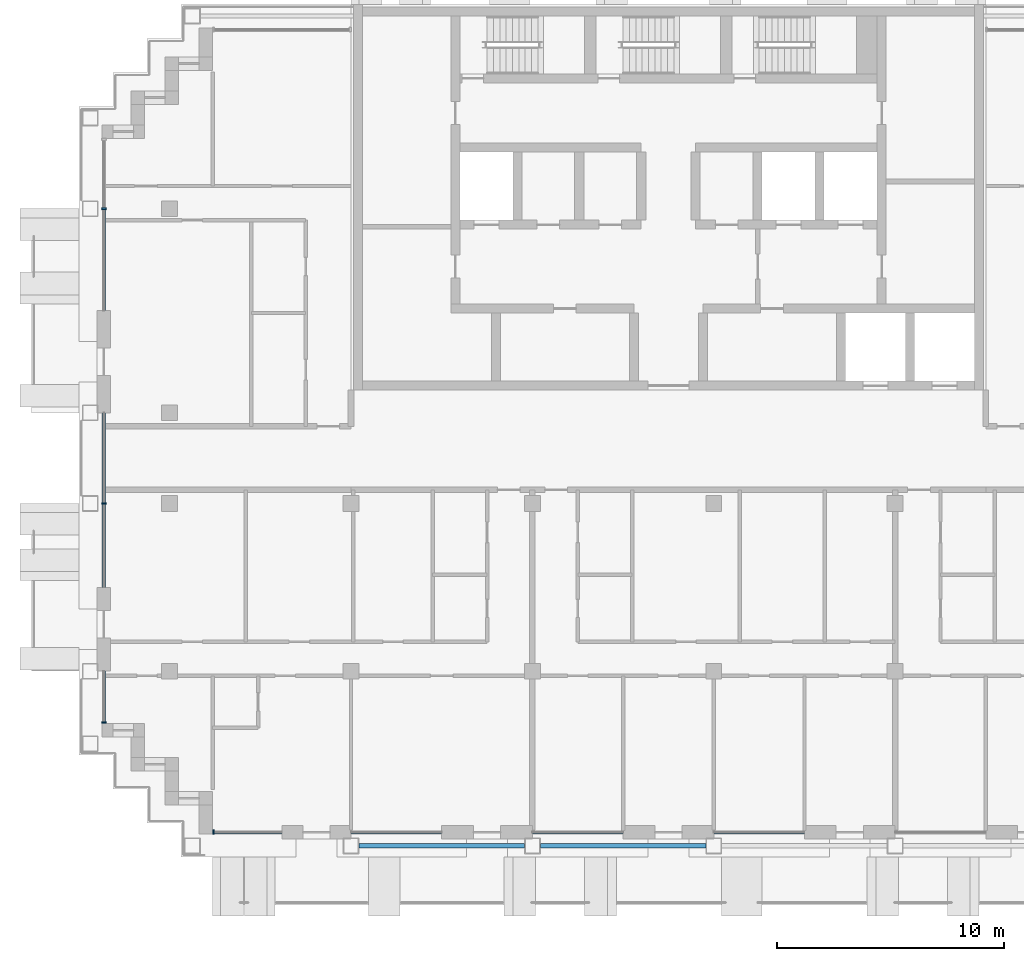
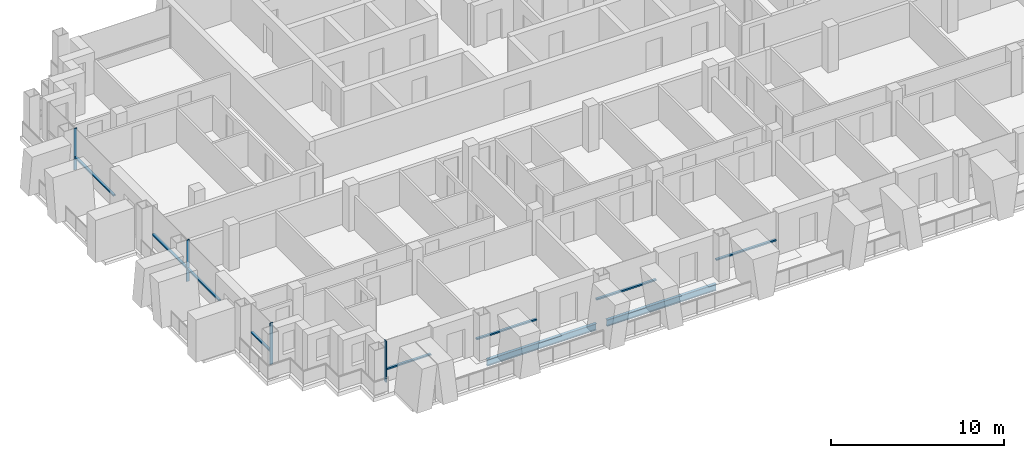
# One storey, part 2 of 16: 12 members, 2 beams, 7 elements without a shape of their own.
"""IFC4 building model written with IfcOpenShell, lengths in metres."""

import ifcopenshell
import ifcopenshell.guid

model = None  # the IFC model being written
_history = None  # IfcOwnerHistory: only IFC2X3 demands one
_inside = {}  # id of a spatial element -> (the spatial element, [elements in it])
_under = {}  # id of a project, library or spatial element -> (it, [spatial elements below it])
_declared = {}  # id of a project -> (the project, [libraries it declares])
_typed = {}  # id of a type object -> (the type object, [elements of that type])
_made_of = {}  # id of a material, layer set ... -> (it, [elements and type objects made of it])


def new_model(schema):
    """Start an empty IFC model of exactly this schema.

    Asked for "IFC4X3", IfcOpenShell would pick the latest addendum, in which some entities
    have other attributes; the version numbers below select the first issue.
    IFC2X3 requires an IfcOwnerHistory on every rooted entity: one is made here for all.
    """
    global model, _history
    if schema == "IFC4X3":
        model = ifcopenshell.file(schema_version=(4, 3, 0, 0))
    else:
        model = ifcopenshell.file(schema=schema)
    _inside.clear()
    _under.clear()
    _declared.clear()
    _typed.clear()
    _made_of.clear()
    _history = None
    if model.schema == "IFC2X3":
        org = make("IfcOrganization", Name="unknown")
        user = make(
            "IfcPersonAndOrganization",
            ThePerson=make("IfcPerson", FamilyName="unknown"),
            TheOrganization=org,
        )
        app = make(
            "IfcApplication",
            ApplicationDeveloper=org,
            Version="unknown",
            ApplicationFullName="unknown",
            ApplicationIdentifier="unknown",
        )
        _history = make(
            "IfcOwnerHistory",
            OwningUser=user,
            OwningApplication=app,
            ChangeAction="ADDED",
            CreationDate=0,
        )
    return model


def make(cls, **values):
    """One entity of the class cls with the attributes given. An attribute that is None is left unset."""
    return model.create_entity(
        cls, **{name: value for name, value in values.items() if value is not None}
    )


def rooted(cls, **values):
    """An entity with a GlobalId (a new one), such as an element, a storey or a relation."""
    return make(cls, GlobalId=ifcopenshell.guid.new(), OwnerHistory=_history, **values)


def si_unit(unit_type, name, prefix=None):
    """IfcSIUnit, for example si_unit("LENGTHUNIT", "METRE", prefix="MILLI")."""
    return make("IfcSIUnit", UnitType=unit_type, Prefix=prefix, Name=name)


def assignment(units):
    """IfcUnitAssignment: the units of a project."""
    return None if units is None else make("IfcUnitAssignment", Units=units)


def point(xyz):
    """IfcCartesianPoint."""
    return None if xyz is None else make("IfcCartesianPoint", Coordinates=xyz)


def direction(xyz):
    """IfcDirection."""
    return None if xyz is None else make("IfcDirection", DirectionRatios=xyz)


def frame(location, z_axis=None, x_axis=None):
    """IfcAxis2Placement3D, a coordinate frame: its origin and axes. An axis left out is left unset."""
    return make(
        "IfcAxis2Placement3D",
        Location=point(location),
        Axis=direction(z_axis),
        RefDirection=direction(x_axis),
    )


def frame_2d(location, x_axis=None):
    """IfcAxis2Placement2D, a coordinate frame in the plane: its origin and x axis."""
    return make(
        "IfcAxis2Placement2D", Location=point(location), RefDirection=direction(x_axis)
    )


def origin():
    """The frame at (0, 0, 0) with its axes left unset."""
    return frame((0.0, 0.0, 0.0))


def origin_2d():
    """The frame at (0, 0) in the plane with its x axis left unset."""
    return frame_2d((0.0, 0.0))


def place(relative_to, where):
    """IfcLocalPlacement: puts the frame where relative to a parent placement (None: the world)."""
    return make(
        "IfcLocalPlacement", PlacementRelTo=relative_to, RelativePlacement=where
    )


def context(
    kind, dimensions, precision=None, world=None, true_north=None, identifier=None
):
    """IfcGeometricRepresentationContext, for example the 3D "Model" context."""
    return make(
        "IfcGeometricRepresentationContext",
        ContextIdentifier=identifier,
        ContextType=kind,
        CoordinateSpaceDimension=dimensions,
        Precision=precision,
        WorldCoordinateSystem=world,
        TrueNorth=true_north,
    )


def subcontext(parent, identifier, kind, view, scale=None):
    """IfcGeometricRepresentationSubContext, for example "Body" below "Model"."""
    return make(
        "IfcGeometricRepresentationSubContext",
        ContextIdentifier=identifier,
        ContextType=kind,
        ParentContext=parent,
        TargetScale=scale,
        TargetView=view,
    )


def project(units=None, contexts=None):
    """IfcProject with its units and contexts."""
    return rooted(
        "IfcProject",
        Name="project",
        RepresentationContexts=contexts,
        UnitsInContext=assignment(units),
    )


def spatial(cls, under=None, at=None, **own):
    """A site, building, storey or space (cls), placed at a placement, below another one or the project."""
    s = rooted(cls, ObjectPlacement=at, **own)
    if under is not None:
        _under.setdefault(under.id(), (under, []))[1].append(s)
    return s


def profile(cls, at=None, kind="AREA", **sizes):
    """A parametric profile (cls). Its sizes go by their IFC names, for example OverallWidth=200.0."""
    return make(cls, ProfileType=kind, Position=at, **sizes)


def rectangle(**sizes):
    """IfcRectangleProfileDef."""
    return profile("IfcRectangleProfileDef", **sizes)


def i_section(**sizes):
    """IfcIShapeProfileDef."""
    return profile("IfcIShapeProfileDef", **sizes)


def extrude(swept, where, along, depth):
    """IfcExtrudedAreaSolid: the profile swept, set in the frame where, extruded along a direction by depth."""
    return make(
        "IfcExtrudedAreaSolid",
        SweptArea=swept,
        Position=where,
        ExtrudedDirection=direction(along),
        Depth=depth,
    )


def shape(context_of_items, identifier, shape_type, items):
    """IfcShapeRepresentation: the items that make up one representation, for example the "Body"."""
    return make(
        "IfcShapeRepresentation",
        ContextOfItems=context_of_items,
        RepresentationIdentifier=identifier,
        RepresentationType=shape_type,
        Items=items,
    )


def material(Name=None, Category=None):
    """IfcMaterial."""
    return make("IfcMaterial", Name=Name, Category=Category)


def material_profile(
    of_material, cross_section, Name=None, Category=None, Priority=None
):
    """IfcMaterialProfile: a cross section and its material."""
    return make(
        "IfcMaterialProfile",
        Name=Name,
        Material=of_material,
        Profile=cross_section,
        Priority=Priority,
        Category=Category,
    )


def profile_set(profiles, Name=None, composite=None):
    """IfcMaterialProfileSet."""
    return make(
        "IfcMaterialProfileSet",
        Name=Name,
        MaterialProfiles=profiles,
        CompositeProfile=composite,
    )


def made_of(thing, what):
    """Note that an element or type object is made of a material, layer set ...; save() writes the relation."""
    if what is not None:
        _made_of.setdefault(what.id(), (what, []))[1].append(thing)
    return thing


def type_object(cls, material=None, **own):
    """A type object (cls), such as IfcWallType, which elements share."""
    return made_of(rooted(cls, **own), material)


def element(
    cls,
    number,
    at=None,
    inside=None,
    cuts=None,
    type_object=None,
    material=None,
    context=None,
    identifier="Body",
    shape_type=None,
    held_by="IfcProductDefinitionShape",
    body=None,
    shapes=None,
    **own,
):
    """One element of the class cls, such as IfcWall. Its Tag is "e" and its number.

    at: its placement. inside: the storey or other place that contains it. cuts: it is an
    opening in that element (IfcRelVoidsElement). A single representation is given by context,
    identifier, shape_type and body (its items); several are given by shapes. held_by: the class
    of the entity that holds the representations. save() writes the other relations.
    """
    e = rooted(cls, Tag="e%d" % number, ObjectPlacement=at, **own)
    if body is not None:
        shapes = [shape(context, identifier, shape_type, body)]
    if shapes is not None:
        e.Representation = make(held_by, Representations=shapes)
    if inside is not None:
        _inside.setdefault(inside.id(), (inside, []))[1].append(e)
    if cuts is not None:
        rooted(
            "IfcRelVoidsElement", RelatingBuildingElement=cuts, RelatedOpeningElement=e
        )
    if type_object is not None:
        _typed.setdefault(type_object.id(), (type_object, []))[1].append(e)
    return made_of(e, material)


def aggregate(whole, parts):
    """IfcRelAggregates: a whole, such as a stair, and the parts it consists of."""
    return rooted("IfcRelAggregates", RelatingObject=whole, RelatedObjects=parts)


def save(model, path):
    """Write the relations noted so far, then the file.

    IfcRelAggregates (storeys below a building ...), IfcRelContainedInSpatialStructure (elements
    in a storey), IfcRelDefinesByType, IfcRelAssociatesMaterial and IfcRelDeclares: one each for
    every whole, place, type object, material and project.
    """
    for whole, parts in _under.values():
        aggregate(whole, parts)
    for where, things in _inside.values():
        rooted(
            "IfcRelContainedInSpatialStructure",
            RelatedElements=things,
            RelatingStructure=where,
        )
    for kind, things in _typed.values():
        rooted("IfcRelDefinesByType", RelatedObjects=things, RelatingType=kind)
    for what, things in _made_of.values():
        rooted("IfcRelAssociatesMaterial", RelatedObjects=things, RelatingMaterial=what)
    for by, libraries in _declared.values():
        rooted("IfcRelDeclares", RelatingContext=by, RelatedDefinitions=libraries)
    model.write(path)


model = new_model("IFC4")

# Units and contexts
model_context = context("Model", 3, precision=1e-05, world=origin(), true_north=direction((0.0, 1.0)))
body_context = subcontext(model_context, "Body", "Model", "MODEL_VIEW")
ifc_project = project(units=[si_unit("LENGTHUNIT", "METRE"), si_unit("AREAUNIT", "SQUARE_METRE"), si_unit("VOLUMEUNIT", "CUBIC_METRE"), si_unit("PLANEANGLEUNIT", "RADIAN"), si_unit("MASSUNIT", "GRAM", prefix="KILO")], contexts=[model_context])

# Site, building, storey
site_placement = place(None, origin())
site = spatial("IfcSite", under=ifc_project, at=site_placement, CompositionType="ELEMENT")
building_placement = place(site_placement, origin())
building = spatial("IfcBuilding", under=site, at=building_placement, Name="Vidyagriha Tower", CompositionType="ELEMENT")
storey_placement = place(building_placement, frame((0.0, 0.0, 165.300048828125)))
storey = spatial("IfcBuildingStorey", under=building, at=storey_placement, Name="L42", CompositionType="ELEMENT", Elevation=165.300048828125)

# Beams
ifc_material_1 = material(Name="Steel ASTM A992 Grade 50", Category="steel")
ifc_material_profile_1 = material_profile(ifc_material_1, i_section(OverallWidth=0.19189453125, OverallDepth=0.46240234375, WebThickness=0.010498046875, FlangeThickness=0.017578125, at=origin_2d()), Name="W18X60")
ifc_profile_set_1 = profile_set([ifc_material_profile_1], Name="Steel ASTM A992 Grade 50")
beam_type = type_object("IfcBeamType", Name="Edge beam W18X60", PredefinedType="SPANDREL", material=ifc_profile_set_1)
for number, where, z_axis, x_axis, name in (
    (1, (-13.64990234375, -17.10009765625, -0.51123046875), (1.0, 0.0, 0.0), (0.0, 1.0, 0.0), "st-beam-L42-S01"),
    (2, (-5.64990234375, -17.10009765625, -0.51123046875), (1.0, 0.0, 0.0), (0.0, 1.0, 0.0), "st-beam-L42-S02"),
):
    element("IfcBeam", number, at=place(storey_placement, frame(where, z_axis=z_axis, x_axis=x_axis)), inside=storey, type_object=beam_type, Name=name, PredefinedType="SPANDREL", context=body_context, shape_type="SweptSolid", body=[
        extrude(i_section(OverallWidth=0.19189453125, OverallDepth=0.46240234375, WebThickness=0.010498046875, FlangeThickness=0.017578125, at=origin_2d()), origin(), (0.0, 0.0, 1.0), 7.2998046875),
    ])

# Curtain wall, member
ifc_material_2 = material(Name="Aluminium and glass curtain wall", Category="aluminium")
curtain_wall_type = type_object("IfcCurtainWallType", Name="Dwelling skin unitised curtain wall", PredefinedType="USERDEFINED", material=ifc_material_2)
curtain_wall_1_placement = place(storey_placement, origin())
curtain_wall_1 = element("IfcCurtainWall", 3, at=curtain_wall_1_placement, inside=storey, type_object=curtain_wall_type, Name="CW1 dwelling skin", ObjectType="UNITISED", PredefinedType="USERDEFINED")
ifc_material_3 = material(Name="Aluminium black anodised", Category="aluminium")
ifc_material_profile_2 = material_profile(ifc_material_3, rectangle(XDim=0.199951171875, YDim=0.070068359375, at=origin_2d()), Name="Mullion 70x200 black aluminium")
ifc_profile_set_2 = profile_set([ifc_material_profile_2], Name="Aluminium black anodised")
member_type_1 = type_object("IfcMemberType", Name="Mullion 70x200 black aluminium", PredefinedType="MULLION", material=ifc_profile_set_2)
member_1_placement = place(storey_placement, frame((-24.89990234375, 11.0, 0.0)))
member_1 = element("IfcMember", 4, at=member_1_placement, type_object=member_type_1, Name="CW1 mullion 2", PredefinedType="MULLION", context=body_context, shape_type="SweptSolid", body=[
    extrude(rectangle(XDim=0.199951171875, YDim=0.070068359375, at=origin_2d()), origin(), (0.0, 0.0, 1.0), 2.919921875),
])

curtain_wall_2_placement = place(storey_placement, origin())
curtain_wall_2 = element("IfcCurtainWall", 5, at=curtain_wall_2_placement, inside=storey, type_object=curtain_wall_type, Name="CW1 dwelling skin", ObjectType="UNITISED", PredefinedType="USERDEFINED")
member_2_placement = place(storey_placement, frame((-24.89990234375, -2.0, 0.0)))
member_2 = element("IfcMember", 6, at=member_2_placement, type_object=member_type_1, Name="CW1 mullion 2", PredefinedType="MULLION", context=body_context, shape_type="SweptSolid", body=[
    extrude(rectangle(XDim=0.199951171875, YDim=0.070068359375, at=origin_2d()), origin(), (0.0, 0.0, 1.0), 2.919921875),
])

curtain_wall_3_placement = place(storey_placement, origin())
curtain_wall_3 = element("IfcCurtainWall", 7, at=curtain_wall_3_placement, inside=storey, type_object=curtain_wall_type, Name="CW1 dwelling skin", ObjectType="UNITISED", PredefinedType="USERDEFINED")
member_3_placement = place(storey_placement, frame((-24.89990234375, -11.6650390625, 0.0)))
member_3 = element("IfcMember", 8, at=member_3_placement, type_object=member_type_1, Name="CW1 mullion 2", PredefinedType="MULLION", context=body_context, shape_type="SweptSolid", body=[
    extrude(rectangle(XDim=0.199951171875, YDim=0.070068359375, at=origin_2d()), origin(), (0.0, 0.0, 1.0), 2.919921875),
])

curtain_wall_4_placement = place(storey_placement, origin())
curtain_wall_4 = element("IfcCurtainWall", 9, at=curtain_wall_4_placement, inside=storey, type_object=curtain_wall_type, Name="CW1 dwelling skin", ObjectType="UNITISED", PredefinedType="USERDEFINED")
member_4_placement = place(storey_placement, frame((-20.06494140625, -16.5, 0.0), z_axis=(0.0, 0.0, 1.0), x_axis=(0.0, 1.0, 0.0)))
member_4 = element("IfcMember", 10, at=member_4_placement, type_object=member_type_1, Name="CW1 mullion 1", PredefinedType="MULLION", context=body_context, shape_type="SweptSolid", body=[
    extrude(rectangle(XDim=0.199951171875, YDim=0.070068359375, at=origin_2d()), origin(), (0.0, 0.0, 1.0), 2.919921875),
])

# Member
ifc_material_4 = material(Name="Aluminium black anodised", Category="aluminium")
ifc_material_profile_3 = material_profile(ifc_material_4, rectangle(XDim=0.159912109375, YDim=0.10009765625, at=origin_2d()), Name="Transom 100x160 black aluminium")
ifc_profile_set_3 = profile_set([ifc_material_profile_3], Name="Aluminium black anodised")
member_type_2 = type_object("IfcMemberType", Name="Transom 100x160 black aluminium", PredefinedType="USERDEFINED", material=ifc_profile_set_3)
member_5_placement = place(storey_placement, frame((-24.89990234375, 10.965087890625, 0.89990234375), z_axis=(0.0, -1.0, 0.0), x_axis=(1.0, 0.0, 0.0)))
member_5 = element("IfcMember", 11, at=member_5_placement, type_object=member_type_2, Name="CW1 transom 2.1", ObjectType="TRANSOM", PredefinedType="USERDEFINED", context=body_context, shape_type="SweptSolid", body=[
    extrude(rectangle(XDim=0.159912109375, YDim=0.10009765625, at=origin_2d()), origin(), (0.0, 0.0, 1.0), 4.465087890625),
])

aggregate(curtain_wall_1, [member_1, member_5])

member_6_placement = place(storey_placement, frame((-24.89990234375, 2.0, 0.89990234375), z_axis=(0.0, -1.0, 0.0), x_axis=(1.0, 0.0, 0.0)))
member_6 = element("IfcMember", 12, at=member_6_placement, type_object=member_type_2, Name="CW1 transom 1.1", ObjectType="TRANSOM", PredefinedType="USERDEFINED", context=body_context, shape_type="SweptSolid", body=[
    extrude(rectangle(XDim=0.159912109375, YDim=0.10009765625, at=origin_2d()), origin(), (0.0, 0.0, 1.0), 3.965087890625),
])

member_7_placement = place(storey_placement, frame((-24.89990234375, -2.034912109375, 0.89990234375), z_axis=(0.0, -1.0, 0.0), x_axis=(1.0, 0.0, 0.0)))
member_7 = element("IfcMember", 13, at=member_7_placement, type_object=member_type_2, Name="CW1 transom 2.1", ObjectType="TRANSOM", PredefinedType="USERDEFINED", context=body_context, shape_type="SweptSolid", body=[
    extrude(rectangle(XDim=0.159912109375, YDim=0.10009765625, at=origin_2d()), origin(), (0.0, 0.0, 1.0), 3.6650390625),
])

aggregate(curtain_wall_2, [member_2, member_6, member_7])

member_8_placement = place(storey_placement, frame((-24.89990234375, -9.39990234375, 0.89990234375), z_axis=(0.0, -1.0, 0.0), x_axis=(1.0, 0.0, 0.0)))
member_8 = element("IfcMember", 14, at=member_8_placement, type_object=member_type_2, Name="CW1 transom 1.1", ObjectType="TRANSOM", PredefinedType="USERDEFINED", context=body_context, shape_type="SweptSolid", body=[
    extrude(rectangle(XDim=0.159912109375, YDim=0.10009765625, at=origin_2d()), origin(), (0.0, 0.0, 1.0), 2.22998046875),
])

aggregate(curtain_wall_3, [member_3, member_8])

member_9_placement = place(storey_placement, frame((-20.030029296875, -16.5, 0.89990234375), z_axis=(1.0, 0.0, 0.0), x_axis=(0.0, 1.0, 0.0)))
member_9 = element("IfcMember", 15, at=member_9_placement, type_object=member_type_2, Name="CW1 transom 1.1", ObjectType="TRANSOM", PredefinedType="USERDEFINED", context=body_context, shape_type="SweptSolid", body=[
    extrude(rectangle(XDim=0.159912109375, YDim=0.10009765625, at=origin_2d()), origin(), (0.0, 0.0, 1.0), 2.97998046875),
])

aggregate(curtain_wall_4, [member_4, member_9])

# Curtain wall, member
curtain_wall_5_placement = place(storey_placement, origin())
curtain_wall_5 = element("IfcCurtainWall", 16, at=curtain_wall_5_placement, inside=storey, type_object=curtain_wall_type, Name="CW1 dwelling skin", ObjectType="UNITISED", PredefinedType="USERDEFINED")
member_10_placement = place(storey_placement, frame((-14.0, -16.5, 0.89990234375), z_axis=(1.0, 0.0, 0.0), x_axis=(0.0, 1.0, 0.0)))
member_10 = element("IfcMember", 17, at=member_10_placement, type_object=member_type_2, Name="CW1 transom 1.1", ObjectType="TRANSOM", PredefinedType="USERDEFINED", context=body_context, shape_type="SweptSolid", body=[
    extrude(rectangle(XDim=0.159912109375, YDim=0.10009765625, at=origin_2d()), origin(), (0.0, 0.0, 1.0), 4.0),
])
aggregate(curtain_wall_5, [member_10])

curtain_wall_6_placement = place(storey_placement, origin())
curtain_wall_6 = element("IfcCurtainWall", 18, at=curtain_wall_6_placement, inside=storey, type_object=curtain_wall_type, Name="CW1 dwelling skin", ObjectType="UNITISED", PredefinedType="USERDEFINED")
member_11_placement = place(storey_placement, frame((-6.0, -16.5, 0.89990234375), z_axis=(1.0, 0.0, 0.0), x_axis=(0.0, 1.0, 0.0)))
member_11 = element("IfcMember", 19, at=member_11_placement, type_object=member_type_2, Name="CW1 transom 1.1", ObjectType="TRANSOM", PredefinedType="USERDEFINED", context=body_context, shape_type="SweptSolid", body=[
    extrude(rectangle(XDim=0.159912109375, YDim=0.10009765625, at=origin_2d()), origin(), (0.0, 0.0, 1.0), 4.0),
])
aggregate(curtain_wall_6, [member_11])

curtain_wall_7_placement = place(storey_placement, origin())
curtain_wall_7 = element("IfcCurtainWall", 20, at=curtain_wall_7_placement, inside=storey, type_object=curtain_wall_type, Name="CW1 dwelling skin", ObjectType="UNITISED", PredefinedType="USERDEFINED")
member_12_placement = place(storey_placement, frame((2.0, -16.5, 0.89990234375), z_axis=(1.0, 0.0, 0.0), x_axis=(0.0, 1.0, 0.0)))
member_12 = element("IfcMember", 21, at=member_12_placement, type_object=member_type_2, Name="CW1 transom 1.1", ObjectType="TRANSOM", PredefinedType="USERDEFINED", context=body_context, shape_type="SweptSolid", body=[
    extrude(rectangle(XDim=0.159912109375, YDim=0.10009765625, at=origin_2d()), origin(), (0.0, 0.0, 1.0), 4.0),
])
aggregate(curtain_wall_7, [member_12])

save(model, "model.ifc")
